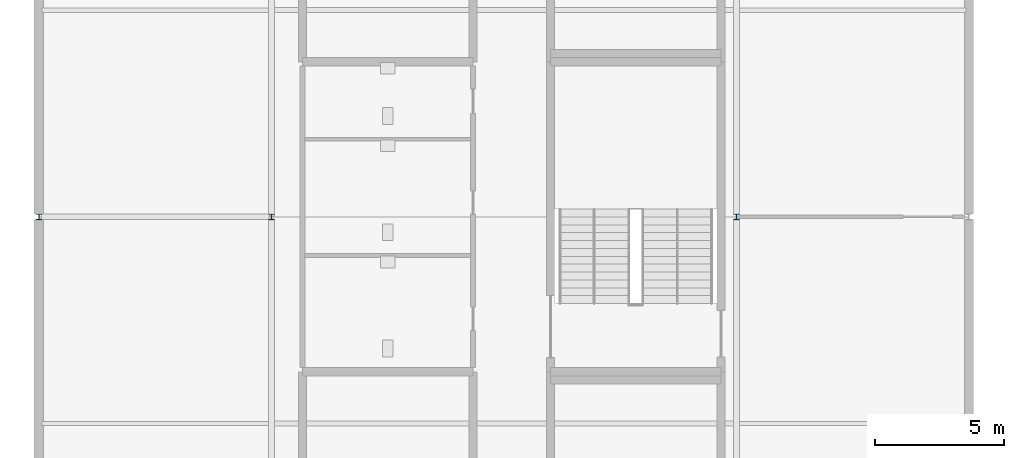
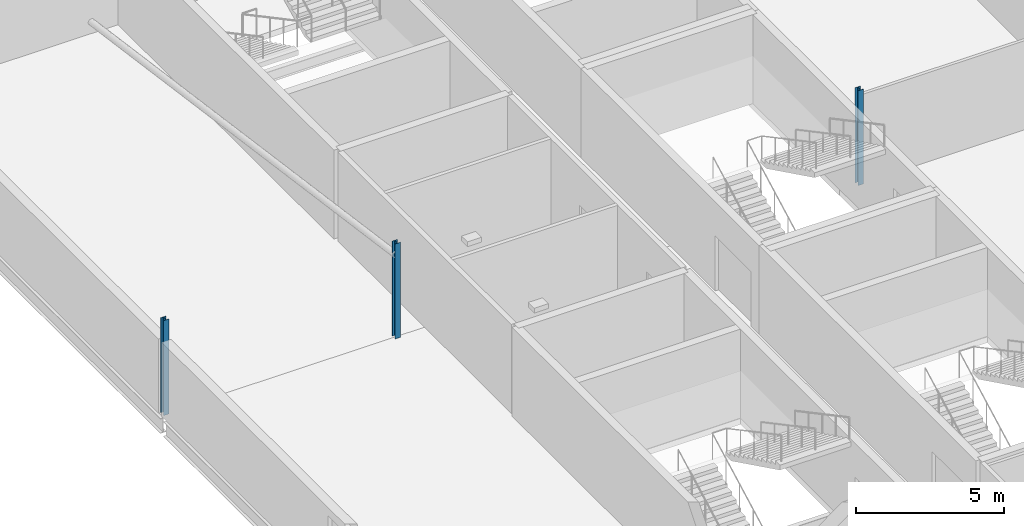
# One storey, part 4 of 35: 3 columns.
"""IFC4 building model written with IfcOpenShell, lengths in metres."""

from ifc_helpers import new_model, si_unit, direction, frame, origin, origin_2d, place, context, subcontext, project, spatial, i_section, extrude, material, material_profile, profile_set, type_object, element, save


model = new_model("IFC4")

# Units and contexts
model_context = context("Model", 3, precision=1e-05, world=origin(), true_north=direction((0.0, 1.0)))
body_context = subcontext(model_context, "Body", "Model", "MODEL_VIEW")
ifc_project = project(units=[si_unit("LENGTHUNIT", "METRE"), si_unit("AREAUNIT", "SQUARE_METRE"), si_unit("VOLUMEUNIT", "CUBIC_METRE"), si_unit("PLANEANGLEUNIT", "RADIAN"), si_unit("MASSUNIT", "GRAM", prefix="KILO")], contexts=[model_context])

# Site, building, storey
site_placement = place(None, origin())
site = spatial("IfcSite", under=ifc_project, at=site_placement, CompositionType="ELEMENT")
building_placement = place(site_placement, origin())
building = spatial("IfcBuilding", under=site, at=building_placement, Name="Kisiwana Market Hall", CompositionType="ELEMENT")
storey_placement = place(building_placement, frame((0.0, 0.0, 61.800048828125)))
storey = spatial("IfcBuildingStorey", under=building, at=storey_placement, Name="L14", CompositionType="ELEMENT", Elevation=61.800048828125)

# Columns
ifc_material = material(Name="Steel S355", Category="steel")
ifc_material_profile = material_profile(ifc_material, i_section(OverallWidth=0.205810546875, OverallDepth=0.209716796875, WebThickness=0.009521484375, FlangeThickness=0.01416015625, FilletRadius=0.01025390625, at=origin_2d()), Name="UC 203x203x60")
ifc_profile_set = profile_set([ifc_material_profile], Name="Steel S355")
column_type = type_object("IfcColumnType", Name="COL-STL-UC060", PredefinedType="COLUMN", material=ifc_profile_set)
for number, where, z_axis, x_axis, name in (
    (1, (0.0, 60.0, 0.0), (0.0, 0.0, 1.0), (1.0, 0.0, 0.0), "Column H/1 (L14) C-1444"),
    (2, (27.0, 60.0, 0.0), (0.0, 0.0, 1.0), (1.0, 0.0, 0.0), "Column H/4 (L14) C-1453"),
    (3, (9.0, 60.0, 0.0), (0.0, 0.0, 1.0), (1.0, 0.0, 0.0), "Column H/2 (L14) C-1438"),
):
    element("IfcColumn", number, at=place(storey_placement, frame(where, z_axis=z_axis, x_axis=x_axis)), inside=storey, type_object=column_type, Name=name, PredefinedType="COLUMN", context=body_context, shape_type="SweptSolid", body=[
        extrude(i_section(OverallWidth=0.205810546875, OverallDepth=0.209716796875, WebThickness=0.009521484375, FlangeThickness=0.01416015625, FilletRadius=0.01025390625, at=origin_2d()), origin(), (0.0, 0.0, 1.0), 3.89990234375),
    ])

save(model, "model.ifc")
